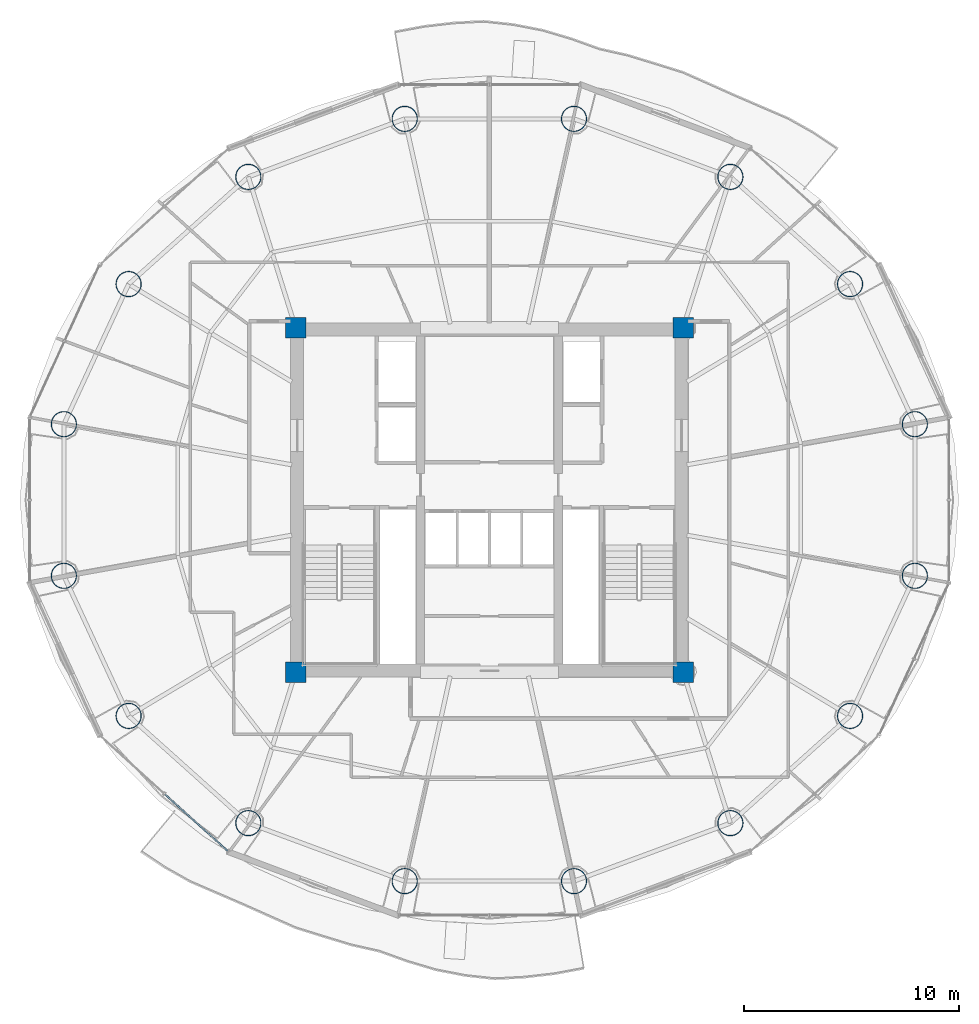
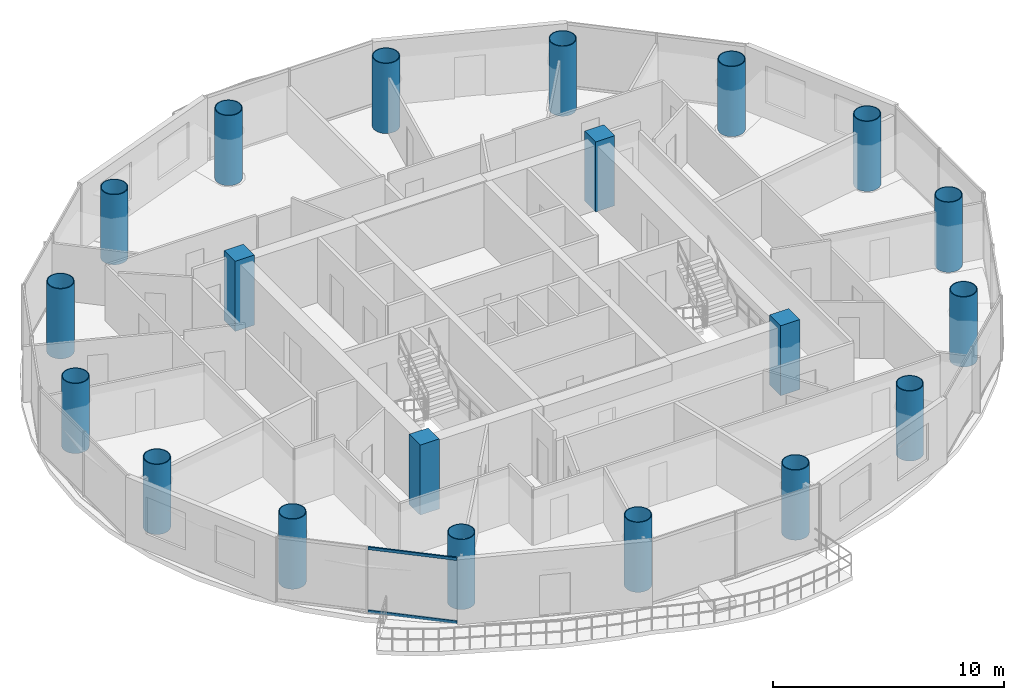
# One storey, part 1 of 27: 20 columns, 2 members, 1 element without a shape of its own.
"""IFC4 building model written with IfcOpenShell, lengths in metres."""

from ifc_helpers import new_model, si_unit, direction, frame, origin, origin_2d, place, context, subcontext, project, spatial, rectangle, hollow_rectangle, hollow_circle, extrude, source, transform, mapped, material, material_profile, profile_set, type_object, element, aggregate, save


model = new_model("IFC4")

# Units and contexts
model_context = context("Model", 3, precision=1e-05, world=origin(), true_north=direction((-0.2419218956, 0.970295726276)))
body_context = subcontext(model_context, "Body", "Model", "MODEL_VIEW")
ifc_project = project(units=[si_unit("LENGTHUNIT", "METRE"), si_unit("AREAUNIT", "SQUARE_METRE"), si_unit("VOLUMEUNIT", "CUBIC_METRE"), si_unit("PLANEANGLEUNIT", "RADIAN"), si_unit("MASSUNIT", "GRAM", prefix="KILO")], contexts=[model_context])

# Site, building, storey
site_placement = place(None, origin())
site = spatial("IfcSite", under=ifc_project, at=site_placement, CompositionType="ELEMENT")
building_placement = place(site_placement, origin())
building = spatial("IfcBuilding", under=site, at=building_placement, Name="Cobrevalo Terracotta Tower", CompositionType="ELEMENT")
storey_placement = place(building_placement, frame((0.0, 0.0, 198.60009765625)))
storey = spatial("IfcBuildingStorey", under=building, at=storey_placement, Name="L52", CompositionType="ELEMENT", Elevation=198.60009765625)

# Columns
ifc_material_1 = material(Name="Steel S355", Category="steel")
ifc_material_profile_1 = material_profile(ifc_material_1, hollow_circle(Radius=0.60009765625, WallThickness=0.0380859375, at=origin_2d()), Name="CHS 1200x38")
ifc_profile_set_1 = profile_set([ifc_material_profile_1], Name="Steel S355")
column_type_1 = type_object("IfcColumnType", Name="Structural Column CHS 1200x38 (Steel S355)", PredefinedType="COLUMN", material=ifc_profile_set_1)
for number, where, z_axis, x_axis, name in (
    (1, (57.762939453125, 30.3212890625, 0.0), (0.0, 0.0, 1.0), (1.0, 0.0, 0.0), "L52 composite megacolumn MC01"),
    (2, (54.754150390625, 36.828125, 0.0), (0.0, 0.0, 1.0), (1.0, 0.0, 0.0), "L52 composite megacolumn MC02"),
    (3, (49.19482421875, 41.80810546875, 0.0), (0.0, 0.0, 1.0), (1.0, 0.0, 0.0), "L52 composite megacolumn MC03"),
    (4, (41.93115234375, 44.503173828125, 0.0), (0.0, 0.0, 1.0), (1.0, 0.0, 0.0), "L52 composite megacolumn MC04"),
    (5, (34.06884765625, 44.503173828125, 0.0), (0.0, 0.0, 1.0), (1.0, 0.0, 0.0), "L52 composite megacolumn MC05"),
    (6, (26.80517578125, 41.80810546875, 0.0), (0.0, 0.0, 1.0), (1.0, 0.0, 0.0), "L52 composite megacolumn MC06"),
    (7, (21.245849609375, 36.828125, 0.0), (0.0, 0.0, 1.0), (1.0, 0.0, 0.0), "L52 composite megacolumn MC07"),
    (8, (18.237060546875, 30.3212890625, 0.0), (0.0, 0.0, 1.0), (1.0, 0.0, 0.0), "L52 composite megacolumn MC08"),
    (9, (18.237060546875, 23.278564453125, 0.0), (0.0, 0.0, 1.0), (1.0, 0.0, 0.0), "L52 composite megacolumn MC09"),
    (10, (21.245849609375, 16.77197265625, 0.0), (0.0, 0.0, 1.0), (1.0, 0.0, 0.0), "L52 composite megacolumn MC10"),
    (11, (26.80517578125, 11.7919921875, 0.0), (0.0, 0.0, 1.0), (1.0, 0.0, 0.0), "L52 composite megacolumn MC11"),
    (12, (34.06884765625, 9.096923828125, 0.0), (0.0, 0.0, 1.0), (1.0, 0.0, 0.0), "L52 composite megacolumn MC12"),
    (13, (41.93115234375, 9.096923828125, 0.0), (0.0, 0.0, 1.0), (1.0, 0.0, 0.0), "L52 composite megacolumn MC13"),
    (14, (49.19482421875, 11.7919921875, 0.0), (0.0, 0.0, 1.0), (1.0, 0.0, 0.0), "L52 composite megacolumn MC14"),
    (15, (54.754150390625, 16.77197265625, 0.0), (0.0, 0.0, 1.0), (1.0, 0.0, 0.0), "L52 composite megacolumn MC15"),
    (16, (57.762939453125, 23.278564453125, 0.0), (0.0, 0.0, 1.0), (1.0, 0.0, 0.0), "L52 composite megacolumn MC16"),
):
    element("IfcColumn", number, at=place(storey_placement, frame(where, z_axis=z_axis, x_axis=x_axis)), inside=storey, type_object=column_type_1, Name=name, PredefinedType="COLUMN", context=body_context, shape_type="SweptSolid", body=[
        extrude(hollow_circle(Radius=0.60009765625, WallThickness=0.0380859375, at=origin_2d()), origin(), (0.0, 0.0, 1.0), 3.699951171875),
    ])
ifc_material_2 = material(Name="Concrete C55", Category="concrete")
ifc_material_profile_2 = material_profile(ifc_material_2, rectangle(XDim=0.949951171875, YDim=0.949951171875, at=origin_2d()), Name="RC COL 950x950")
ifc_profile_set_2 = profile_set([ifc_material_profile_2], Name="Concrete C55")
column_type_2 = type_object("IfcColumnType", Name="Structural Column RC COL 950x950 (Concrete C55)", PredefinedType="COLUMN", material=ifc_profile_set_2)
for number, where, z_axis, x_axis, name in (
    (17, (29.0, 18.800048828125, 0.0), (0.0, 0.0, 1.0), (1.0, 0.0, 0.0), "L52 core corner column CC1"),
    (18, (47.0, 18.800048828125, 0.0), (0.0, 0.0, 1.0), (1.0, 0.0, 0.0), "L52 core corner column CC2"),
    (19, (47.0, 34.800048828125, 0.0), (0.0, 0.0, 1.0), (1.0, 0.0, 0.0), "L52 core corner column CC3"),
    (20, (29.0, 34.800048828125, 0.0), (0.0, 0.0, 1.0), (1.0, 0.0, 0.0), "L52 core corner column CC4"),
):
    element("IfcColumn", number, at=place(storey_placement, frame(where, z_axis=z_axis, x_axis=x_axis)), inside=storey, type_object=column_type_2, Name=name, PredefinedType="COLUMN", context=body_context, shape_type="SweptSolid", body=[
        extrude(rectangle(XDim=0.949951171875, YDim=0.949951171875, at=origin_2d()), origin(), (0.0, 0.0, 1.0), 3.699951171875),
    ])

# Curtain wall, members
ifc_material_3 = material(Name="Anodized aluminium", Category="aluminium")
curtain_wall_type = type_object("IfcCurtainWallType", Name="Mid-tower high-wind unitised curtain wall CW-U2", PredefinedType="NOTDEFINED", material=ifc_material_3)
curtain_wall_placement = place(storey_placement, origin())
curtain_wall = element("IfcCurtainWall", 21, at=curtain_wall_placement, inside=storey, type_object=curtain_wall_type, Name="L52 curtain wall CW-L52-S10", PredefinedType="NOTDEFINED")
ifc_material_profile_3 = material_profile(ifc_material_3, hollow_rectangle(XDim=0.074951171875, YDim=0.14990234375, WallThickness=0.00439453125, at=origin_2d()), Name="CWT 75x150")
ifc_profile_set_3 = profile_set([ifc_material_profile_3], Name="Anodized aluminium")
member_type = type_object("IfcMemberType", Name="Tower unitised aluminium transom 75x150", PredefinedType="USERDEFINED", material=ifc_profile_set_3)
shared_shape = source(origin(), body_context, "Body", "SweptSolid", [
    extrude(hollow_rectangle(XDim=0.074951171875, YDim=0.14990234375, WallThickness=0.00439453125, at=origin_2d()), origin(), (0.0, 0.0, 1.0), 3.927734375),
])
member_1_placement = place(storey_placement, frame((22.931640625, 13.131591796875, 0.0498046875), z_axis=(0.742003891138, -0.670395573923, 0.0), x_axis=(0.670395573923, 0.742003891138, 0.0)))
member_1 = element("IfcMember", 22, at=member_1_placement, type_object=member_type, Name="CW-L52-S10 transom B02-T1", ObjectType="TRANSOM", PredefinedType="USERDEFINED", context=body_context, shape_type="MappedRepresentation", body=[
    mapped(shared_shape, transform((0.0, 0.0, 0.0), scale=1.0)),
])
member_2_placement = place(storey_placement, frame((22.931640625, 13.131591796875, 3.385009765625), z_axis=(0.742003891138, -0.670395573923, 0.0), x_axis=(0.670395573923, 0.742003891138, 0.0)))
member_2 = element("IfcMember", 23, at=member_2_placement, type_object=member_type, Name="CW-L52-S10 transom B02-T2", ObjectType="TRANSOM", PredefinedType="USERDEFINED", context=body_context, shape_type="MappedRepresentation", body=[
    mapped(shared_shape, transform((0.0, 0.0, 0.0), scale=1.0)),
])
aggregate(curtain_wall, [member_1, member_2])

save(model, "model.ifc")
